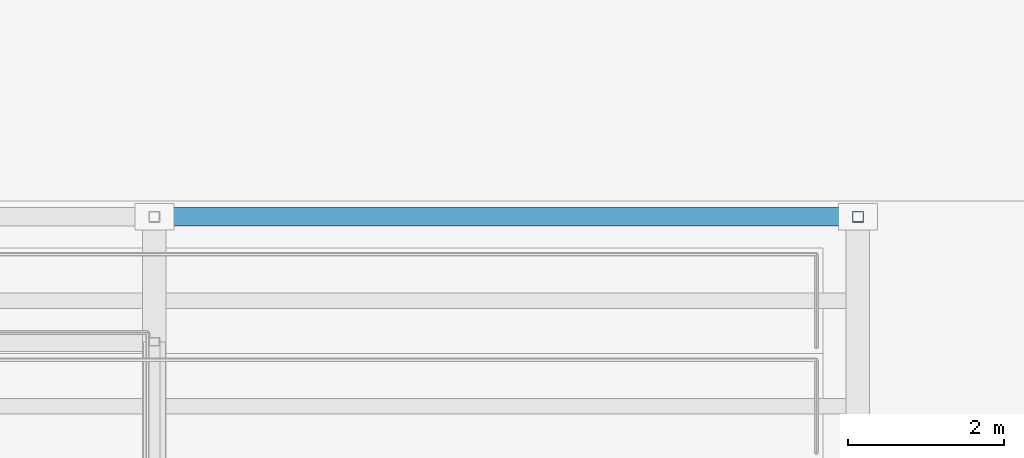
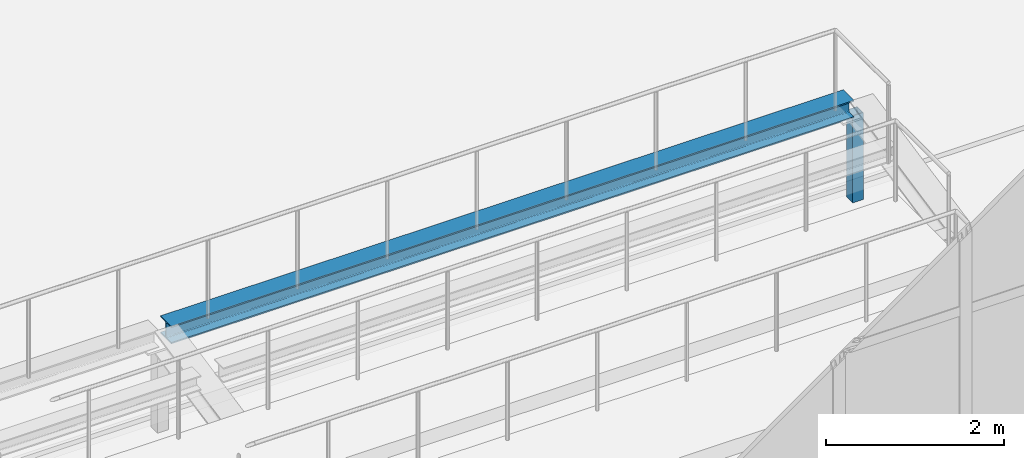
# One storey, part 39 of 110: 1 beam, 1 member.
"""IFC4 building model written with IfcOpenShell, lengths in metres."""

from ifc_helpers import new_model, si_unit, direction, frame, origin, origin_2d, place, context, subcontext, project, spatial, hollow_rectangle, i_section, extrude, material, material_profile, profile_set, type_object, element, save


model = new_model("IFC4")

# Units and contexts
model_context = context("Model", 3, precision=1e-05, world=origin(), true_north=direction((0.0, 1.0)))
body_context = subcontext(model_context, "Body", "Model", "MODEL_VIEW")
ifc_project = project(units=[si_unit("LENGTHUNIT", "METRE"), si_unit("AREAUNIT", "SQUARE_METRE"), si_unit("VOLUMEUNIT", "CUBIC_METRE"), si_unit("PLANEANGLEUNIT", "RADIAN"), si_unit("MASSUNIT", "GRAM", prefix="KILO")], contexts=[model_context])

# Site, building, storey
site_placement = place(None, origin())
site = spatial("IfcSite", under=ifc_project, at=site_placement, CompositionType="ELEMENT")
building_placement = place(site_placement, origin())
building = spatial("IfcBuilding", under=site, at=building_placement, Name="Tizgana Railside Sports Hall", CompositionType="ELEMENT")
storey_placement = place(building_placement, origin())
storey = spatial("IfcBuildingStorey", under=building, at=storey_placement, Name="L00", CompositionType="ELEMENT", Elevation=0.0)

# Beam
ifc_material = material(Name="Steel S355J2", Category="steel")
ifc_material_profile_1 = material_profile(ifc_material, i_section(OverallWidth=0.239990234375, OverallDepth=0.239990234375, WebThickness=0.010009765625, FlangeThickness=0.01708984375, FilletRadius=0.02099609375, at=origin_2d()), Name="HEB 240")
ifc_profile_set_1 = profile_set([ifc_material_profile_1], Name="Steel S355J2")
beam_type = type_object("IfcBeamType", Name="Steel Beam HEB 240", PredefinedType="BEAM", material=ifc_profile_set_1)
beam_placement = place(storey_placement, frame((115.8798828125, 46.800048828125, 1.320068359375), z_axis=(1.0, 0.0, 0.0), x_axis=(0.0, 1.0, 0.0)))
element("IfcBeam", 1, at=beam_placement, inside=storey, type_object=beam_type, Name="L00 Stand Rear Header SHB-0010", PredefinedType="BEAM", context=body_context, shape_type="SweptSolid", body=[
    extrude(i_section(OverallWidth=0.239990234375, OverallDepth=0.239990234375, WebThickness=0.010009765625, FlangeThickness=0.01708984375, FilletRadius=0.02099609375, at=origin_2d()), origin(), (0.0, 0.0, 1.0), 8.840087890625),
])

# Member
ifc_material_profile_2 = material_profile(ifc_material, hollow_rectangle(XDim=0.139892578125, YDim=0.139892578125, WallThickness=0.008056640625, at=origin_2d()), Name="SHS 140x140x8")
ifc_profile_set_2 = profile_set([ifc_material_profile_2], Name="Steel S355J2")
member_type = type_object("IfcMemberType", Name="Steel Brace SHS 140x140x8", PredefinedType="BRACE", material=ifc_profile_set_2)
member_placement = place(storey_placement, frame((124.800048828125, 46.800048828125, 0.0), z_axis=(0.0, 0.0, 1.0), x_axis=(1.0, 0.0, 0.0)))
element("IfcMember", 2, at=member_placement, inside=storey, type_object=member_type, Name="L00 Stand Strut", PredefinedType="BRACE", context=body_context, shape_type="SweptSolid", body=[
    extrude(hollow_rectangle(XDim=0.139892578125, YDim=0.139892578125, WallThickness=0.008056640625, at=origin_2d()), origin(), (0.0, 0.0, 1.0), 1.18994140625),
])

save(model, "model.ifc")
